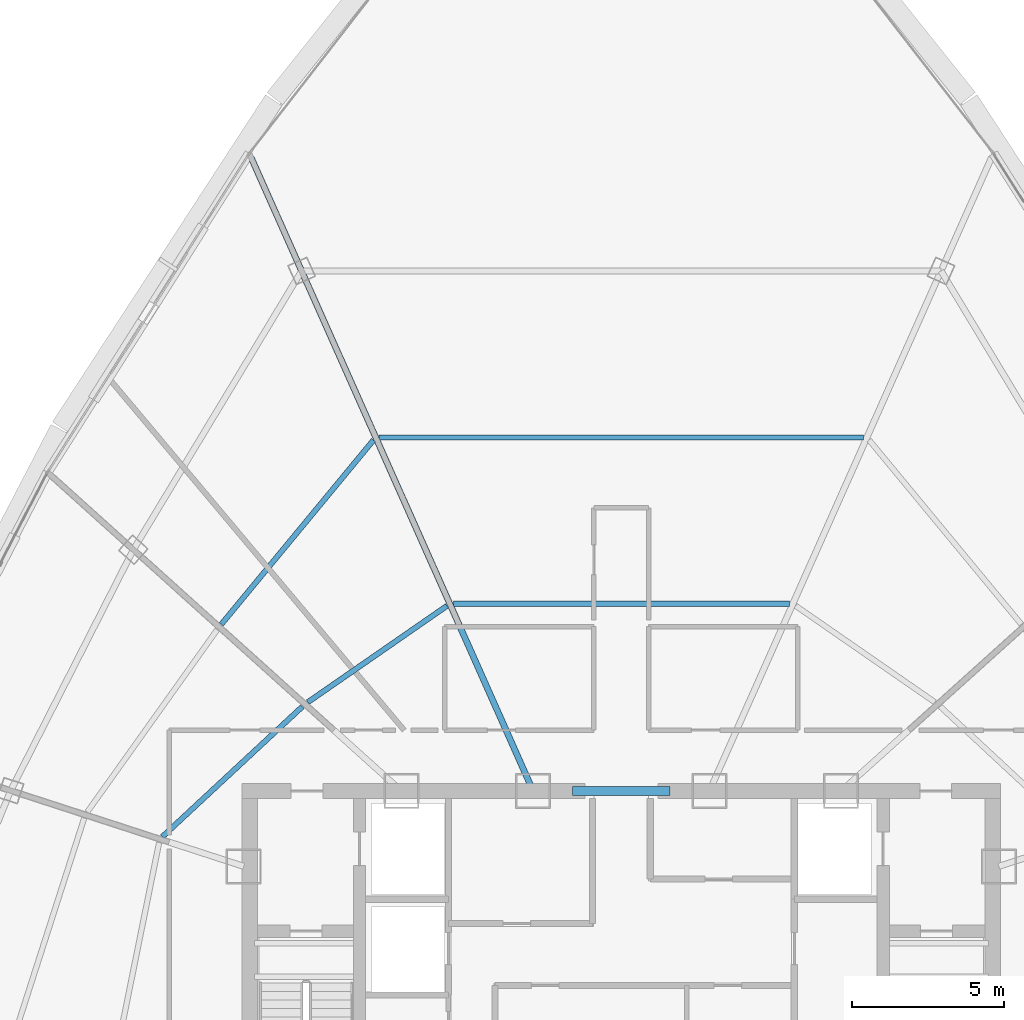
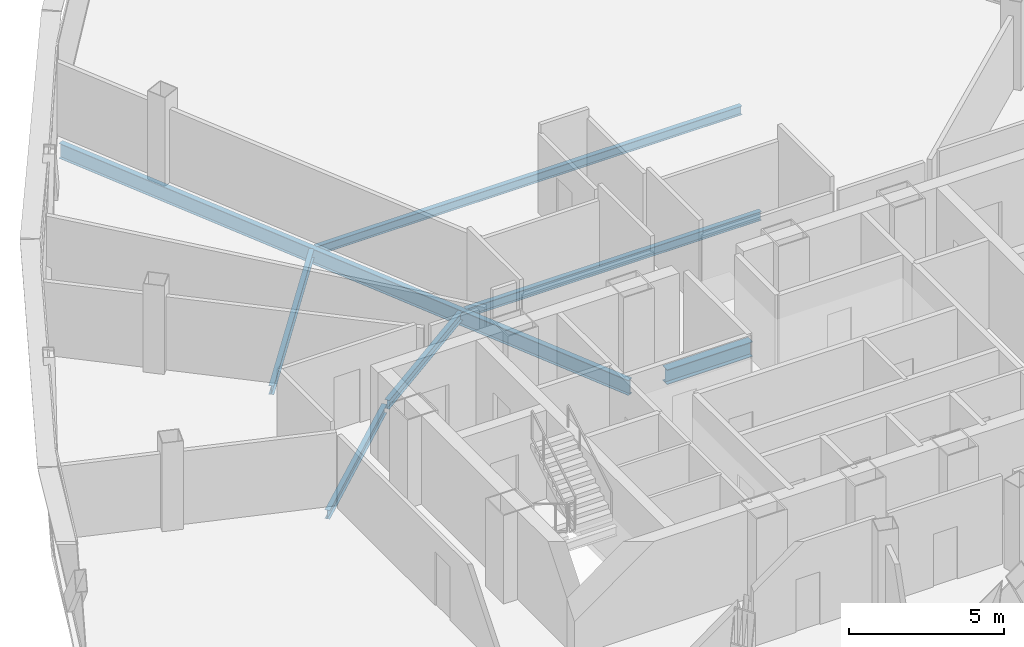
# One storey, part 11 of 33: 7 beams.
"""IFC4 building model written with IfcOpenShell, lengths in metres."""

from ifc_helpers import new_model, si_unit, direction, frame, origin, origin_2d, place, context, subcontext, project, spatial, i_section, extrude, source, transform, mapped, material, material_profile, profile_set, type_object, element, save


model = new_model("IFC4")

# Units and contexts
model_context = context("Model", 3, precision=1e-05, world=origin(), true_north=direction((0.0, 1.0)))
body_context = subcontext(model_context, "Body", "Model", "MODEL_VIEW")
ifc_project = project(units=[si_unit("LENGTHUNIT", "METRE"), si_unit("AREAUNIT", "SQUARE_METRE"), si_unit("VOLUMEUNIT", "CUBIC_METRE"), si_unit("PLANEANGLEUNIT", "RADIAN"), si_unit("MASSUNIT", "GRAM", prefix="KILO"), si_unit("THERMODYNAMICTEMPERATUREUNIT", "KELVIN"), si_unit("POWERUNIT", "WATT")], contexts=[model_context])

# Site, building, storey
site_placement = place(None, origin())
site = spatial("IfcSite", under=ifc_project, at=site_placement, CompositionType="ELEMENT")
building_placement = place(site_placement, origin())
building = spatial("IfcBuilding", under=site, at=building_placement, Name="Yunzhuo Pagoda Commons", CompositionType="ELEMENT")
storey_placement = place(building_placement, frame((0.0, 0.0, 325.510009765625)))
storey = spatial("IfcBuildingStorey", under=building, at=storey_placement, Name="L81", CompositionType="ELEMENT", Elevation=325.510009765625)

# Beams
ifc_material_1 = material(Name="Structural steel Q420B", Category="steel")
ifc_material_profile_1 = material_profile(ifc_material_1, i_section(OverallWidth=0.300048828125, OverallDepth=0.587890625, WebThickness=0.011962890625, FlangeThickness=0.02001953125, at=origin_2d()), Name="Structural steel Q420B")
ifc_profile_set_1 = profile_set([ifc_material_profile_1], Name="Structural steel Q420B")
beam_type_1 = type_object("IfcBeamType", Name="B-CPL Beam HM 588x300x12x20", PredefinedType="BEAM", material=ifc_profile_set_1)
shared_shape_1 = source(origin(), body_context, "Body", "SweptSolid", [
    extrude(i_section(OverallWidth=0.300048828125, OverallDepth=0.587890625, WebThickness=0.011962890625, FlangeThickness=0.02001953125, at=origin_2d()), origin(), (0.0, 0.0, 1.0), 3.2001953125),
])
beam_1_placement = place(storey_placement, frame((46.39990234375, 40.199951171875, -0.553955078125), z_axis=(1.0, 0.0, 0.0), x_axis=(0.0, 1.0, 0.0)))
element("IfcBeam", 1, at=beam_1_placement, inside=storey, type_object=beam_type_1, Name="L81 core coupling girder", PredefinedType="BEAM", context=body_context, shape_type="MappedRepresentation", body=[
    mapped(shared_shape_1, transform((0.0, 0.0, 0.0), scale=1.0)),
])
ifc_material_2 = material(Name="Structural steel Q355B", Category="steel")
ifc_material_profile_2 = material_profile(ifc_material_2, i_section(OverallWidth=0.199951171875, OverallDepth=0.60009765625, WebThickness=0.010986328125, FlangeThickness=0.01708984375, at=origin_2d()), Name="Structural steel Q355B")
ifc_profile_set_2 = profile_set([ifc_material_profile_2], Name="Structural steel Q355B")
beam_type_2 = type_object("IfcBeamType", Name="B-RG3 Beam HN 600x200x11x17", PredefinedType="BEAM", material=ifc_profile_set_2)
shared_shape_2 = source(origin(), body_context, "Body", "SweptSolid", [
    extrude(i_section(OverallWidth=0.199951171875, OverallDepth=0.60009765625, WebThickness=0.010986328125, FlangeThickness=0.01708984375, at=origin_2d()), origin(), (0.0, 0.0, 1.0), 22.76953125),
])
beam_2_placement = place(storey_placement, frame((35.8447265625, 61.0009765625, -0.56005859375), z_axis=(0.406737276471, -0.913545175637, 0.0), x_axis=(0.913545175637, 0.406737276471, 0.0)))
element("IfcBeam", 2, at=beam_2_placement, inside=storey, type_object=beam_type_2, Name="L81 radial floor girder F3C1", PredefinedType="BEAM", context=body_context, shape_type="MappedRepresentation", body=[
    mapped(shared_shape_2, transform((0.0, 0.0, 0.0), scale=1.0)),
])
ifc_material_profile_3 = material_profile(ifc_material_2, i_section(OverallWidth=0.175048828125, OverallDepth=0.35009765625, WebThickness=0.007080078125, FlangeThickness=0.010986328125, at=origin_2d()), Name="Structural steel Q355B")
ifc_profile_set_3 = profile_set([ifc_material_profile_3], Name="Structural steel Q355B")
beam_type_3 = type_object("IfcBeamType", Name="B-JS2 Joist HN 350x175x7x11", PredefinedType="JOIST", material=ifc_profile_set_3)
shared_shape_3 = source(origin(), body_context, "Body", "SweptSolid", [
    extrude(i_section(OverallWidth=0.175048828125, OverallDepth=0.35009765625, WebThickness=0.007080078125, FlangeThickness=0.010986328125, at=origin_2d()), origin(), (0.0, 0.0, 1.0), 6.277099609375),
])
beam_3_placement = place(storey_placement, frame((37.526611328125, 42.97607421875, -0.43505859375), z_axis=(-0.73244154109, -0.68082992655, 0.0), x_axis=(0.68082992655, -0.73244154109, 0.0)))
element("IfcBeam", 3, at=beam_3_placement, inside=storey, type_object=beam_type_3, Name="L81 composite ring joist 1.10", PredefinedType="JOIST", context=body_context, shape_type="MappedRepresentation", body=[
    mapped(shared_shape_3, transform((0.0, 0.0, 0.0), scale=1.0)),
])
shared_shape_4 = source(origin(), body_context, "Body", "SweptSolid", [
    extrude(i_section(OverallWidth=0.175048828125, OverallDepth=0.35009765625, WebThickness=0.007080078125, FlangeThickness=0.010986328125, at=origin_2d()), origin(), (0.0, 0.0, 1.0), 5.556640625),
])
beam_4_placement = place(storey_placement, frame((42.273681640625, 46.28369140625, -0.43505859375), z_axis=(-0.822084621883, -0.569365326011, 0.0), x_axis=(0.569365326011, -0.822084621883, 0.0)))
element("IfcBeam", 4, at=beam_4_placement, inside=storey, type_object=beam_type_3, Name="L81 composite ring joist 1.9", PredefinedType="JOIST", context=body_context, shape_type="MappedRepresentation", body=[
    mapped(shared_shape_4, transform((0.0, 0.0, 0.0), scale=1.0)),
])
shared_shape_5 = source(origin(), body_context, "Body", "SweptSolid", [
    extrude(i_section(OverallWidth=0.175048828125, OverallDepth=0.35009765625, WebThickness=0.007080078125, FlangeThickness=0.010986328125, at=origin_2d()), origin(), (0.0, 0.0, 1.0), 7.842529296875),
])
beam_5_placement = place(storey_placement, frame((39.861328125, 51.726318359375, -0.43505859375), z_axis=(-0.636899145749, -0.770947130577, 0.0), x_axis=(0.770947130577, -0.636899145749, 0.0)))
element("IfcBeam", 5, at=beam_5_placement, inside=storey, type_object=beam_type_3, Name="L81 composite ring joist 2.9", PredefinedType="JOIST", context=body_context, shape_type="MappedRepresentation", body=[
    mapped(shared_shape_5, transform((0.0, 0.0, 0.0), scale=1.0)),
])
shared_shape_6 = source(origin(), body_context, "Body", "SweptSolid", [
    extrude(i_section(OverallWidth=0.175048828125, OverallDepth=0.35009765625, WebThickness=0.007080078125, FlangeThickness=0.010986328125, at=origin_2d()), origin(), (0.0, 0.0, 1.0), 11.03369140625),
])
beam_6_placement = place(storey_placement, frame((53.516845703125, 46.34912109375, -0.43505859375), z_axis=(-1.0, 0.0, 0.0), x_axis=(0.0, -1.0, 0.0)))
element("IfcBeam", 6, at=beam_6_placement, inside=storey, type_object=beam_type_3, Name="L81 composite ring joist 1.8", PredefinedType="JOIST", context=body_context, shape_type="MappedRepresentation", body=[
    mapped(shared_shape_6, transform((0.0, 0.0, 0.0), scale=1.0)),
])
shared_shape_7 = source(origin(), body_context, "Body", "SweptSolid", [
    extrude(i_section(OverallWidth=0.175048828125, OverallDepth=0.35009765625, WebThickness=0.007080078125, FlangeThickness=0.010986328125, at=origin_2d()), origin(), (0.0, 0.0, 1.0), 15.900390625),
])
beam_7_placement = place(storey_placement, frame((55.9501953125, 51.81494140625, -0.43505859375), z_axis=(-1.0, 0.0, 0.0), x_axis=(0.0, -1.0, 0.0)))
element("IfcBeam", 7, at=beam_7_placement, inside=storey, type_object=beam_type_3, Name="L81 composite ring joist 2.8", PredefinedType="JOIST", context=body_context, shape_type="MappedRepresentation", body=[
    mapped(shared_shape_7, transform((0.0, 0.0, 0.0), scale=1.0)),
])

save(model, "model.ifc")
